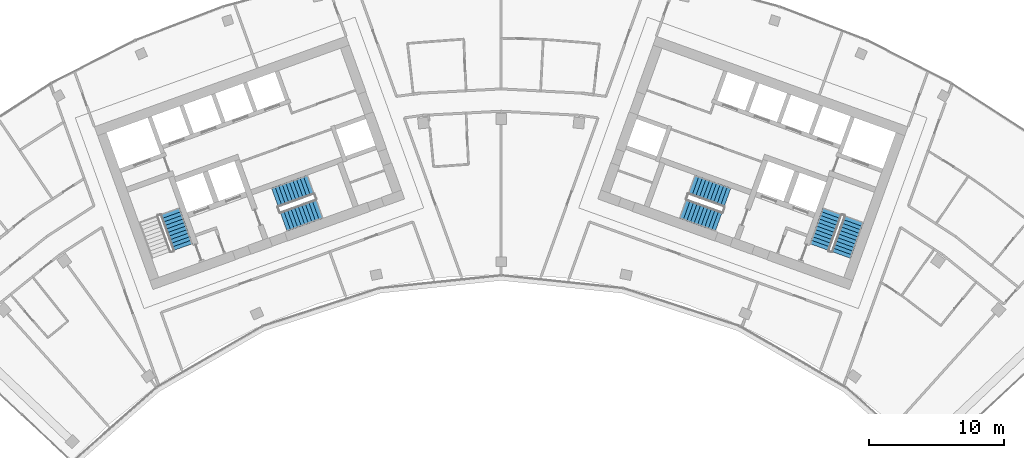
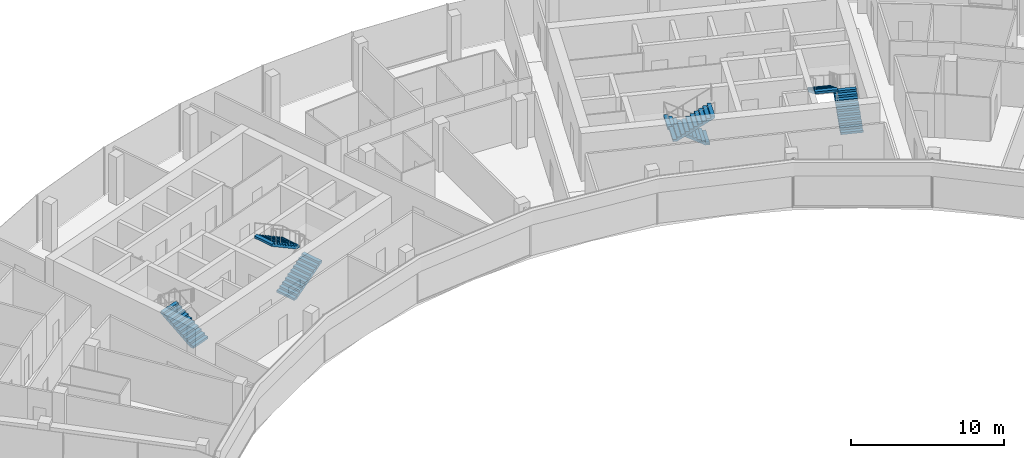
# One storey, part 17 of 18: 7 stair flights, 4 elements without a shape of their own.
"""IFC4 building model written with IfcOpenShell, lengths in metres."""

from ifc_helpers import new_model, si_unit, direction, frame, origin, place, context, subcontext, project, spatial, polyline, outline, extrude, material, type_object, element, aggregate, save


model = new_model("IFC4")

# Units and contexts
model_context = context("Model", 3, precision=1e-05, world=origin(), true_north=direction((0.0, 1.0)))
body_context = subcontext(model_context, "Body", "Model", "MODEL_VIEW")
ifc_project = project(units=[si_unit("LENGTHUNIT", "METRE"), si_unit("AREAUNIT", "SQUARE_METRE"), si_unit("VOLUMEUNIT", "CUBIC_METRE"), si_unit("PLANEANGLEUNIT", "RADIAN"), si_unit("MASSUNIT", "GRAM", prefix="KILO")], contexts=[model_context])

# Site, building, storey
site_placement = place(None, origin())
site = spatial("IfcSite", under=ifc_project, at=site_placement, CompositionType="ELEMENT")
building_placement = place(site_placement, origin())
building = spatial("IfcBuilding", under=site, at=building_placement, Name="Stone Belt Terrace Tower", CompositionType="ELEMENT")
storey_placement = place(building_placement, frame((0.0, 0.0, 284.60009765625)))
storey = spatial("IfcBuildingStorey", under=building, at=storey_placement, Name="L69", CompositionType="ELEMENT", Elevation=284.60009765625)

# Stair, stair flight
ifc_material = material(Name="Concrete B40", Category="concrete")
stair_type = type_object("IfcStairType", Name="Exit stair 1500", PredefinedType="HALF_TURN_STAIR", material=ifc_material)
stair_1_placement = place(storey_placement, origin())
stair_1 = element("IfcStair", 1, at=stair_1_placement, inside=storey, type_object=stair_type, Name="L69 Exit stair 1 core A", PredefinedType="HALF_TURN_STAIR")
stair_flight_type = type_object("IfcStairFlightType", Name="Stair flight 1500", PredefinedType="STRAIGHT", material=ifc_material)
stair_flight_1_placement = place(storey_placement, frame((-23.55322265625, 45.51318359375, 0.0), z_axis=(0.0, 0.0, 1.0), x_axis=(-0.338624396177, 0.940921632398, 0.0)))
stair_flight_1 = element("IfcStairFlight", 2, at=stair_flight_1_placement, type_object=stair_flight_type, Name="ST1A flight 1", NumberOfRisers=11, NumberOfTreads=10, PredefinedType="STRAIGHT", RiserHeight=0.172727273, TreadLength=0.28, context=body_context, shape_type="SweptSolid", body=[
    extrude(outline(polyline([(0.0, 0.0), (0.0, 0.172607421875), (0.280029296875, 0.172607421875), (0.280029296875, 0.345458984375), (0.56005859375, 0.345458984375), (0.56005859375, 0.51806640625), (0.840087890625, 0.51806640625), (0.840087890625, 0.69091796875), (1.1201171875, 0.69091796875), (1.1201171875, 0.863525390625), (1.39990234375, 0.863525390625), (1.39990234375, 1.036376953125), (1.679931640625, 1.036376953125), (1.679931640625, 1.208984375), (1.9599609375, 1.208984375), (1.9599609375, 1.3818359375), (2.239990234375, 1.3818359375), (2.239990234375, 1.554443359375), (2.52001953125, 1.554443359375), (2.52001953125, 1.727294921875), (2.800048828125, 1.727294921875), (2.800048828125, 1.89990234375), (2.800048828125, 1.551025390625), (0.285400390625, 0.0), (0.0, 0.0)])), frame((0.0, 0.75, 0.0), z_axis=(0.0, -1.0, 0.0), x_axis=(1.0, 0.0, 0.0)), (0.0, 0.0, 1.0), 1.5),
])
aggregate(stair_1, [stair_flight_1])

# Stair, stair flights
stair_2_placement = place(storey_placement, origin())
stair_2 = element("IfcStair", 3, at=stair_2_placement, inside=storey, type_object=stair_type, Name="L69 Exit stair 2 core A", PredefinedType="HALF_TURN_STAIR")
stair_flight_2_placement = place(storey_placement, frame((-16.101318359375, 47.39794921875, 0.0), z_axis=(0.0, 0.0, 1.0), x_axis=(0.940921632398, 0.338624396177, 0.0)))
stair_flight_2 = element("IfcStairFlight", 4, at=stair_flight_2_placement, type_object=stair_flight_type, Name="ST2A flight 1", NumberOfRisers=11, NumberOfTreads=10, PredefinedType="STRAIGHT", RiserHeight=0.172727273, TreadLength=0.28, context=body_context, shape_type="SweptSolid", body=[
    extrude(outline(polyline([(0.0, 0.0), (0.0, 0.172607421875), (0.280029296875, 0.172607421875), (0.280029296875, 0.345458984375), (0.56005859375, 0.345458984375), (0.56005859375, 0.51806640625), (0.840087890625, 0.51806640625), (0.840087890625, 0.69091796875), (1.1201171875, 0.69091796875), (1.1201171875, 0.863525390625), (1.39990234375, 0.863525390625), (1.39990234375, 1.036376953125), (1.679931640625, 1.036376953125), (1.679931640625, 1.208984375), (1.9599609375, 1.208984375), (1.9599609375, 1.3818359375), (2.239990234375, 1.3818359375), (2.239990234375, 1.554443359375), (2.52001953125, 1.554443359375), (2.52001953125, 1.727294921875), (2.800048828125, 1.727294921875), (2.800048828125, 1.89990234375), (2.800048828125, 1.551025390625), (0.285400390625, 0.0), (0.0, 0.0)])), frame((0.0, 0.75, 0.0), z_axis=(0.0, -1.0, 0.0), x_axis=(1.0, 0.0, 0.0)), (0.0, 0.0, 1.0), 1.5),
])
stair_flight_3_placement = place(storey_placement, frame((-14.110107421875, 50.1337890625, 1.89990234375), z_axis=(0.0, 0.0, 1.0), x_axis=(-0.940921632398, -0.338624396177, 0.0)))
stair_flight_3 = element("IfcStairFlight", 5, at=stair_flight_3_placement, type_object=stair_flight_type, Name="ST2A flight 2", NumberOfRisers=11, NumberOfTreads=10, PredefinedType="STRAIGHT", RiserHeight=0.172727273, TreadLength=0.28, context=body_context, shape_type="SweptSolid", body=[
    extrude(outline(polyline([(0.0, 0.0), (0.0, 0.172607421875), (0.280029296875, 0.172607421875), (0.280029296875, 0.345458984375), (0.56005859375, 0.345458984375), (0.56005859375, 0.51806640625), (0.840087890625, 0.51806640625), (0.840087890625, 0.69091796875), (1.1201171875, 0.69091796875), (1.1201171875, 0.863525390625), (1.39990234375, 0.863525390625), (1.39990234375, 1.036376953125), (1.679931640625, 1.036376953125), (1.679931640625, 1.208984375), (1.9599609375, 1.208984375), (1.9599609375, 1.3818359375), (2.239990234375, 1.3818359375), (2.239990234375, 1.554443359375), (2.52001953125, 1.554443359375), (2.52001953125, 1.727294921875), (2.800048828125, 1.727294921875), (2.800048828125, 1.89990234375), (2.800048828125, 1.551025390625), (0.285400390625, 0.0), (0.0, 0.0)])), frame((0.0, 0.75, 0.0), z_axis=(0.0, -1.0, 0.0), x_axis=(1.0, 0.0, 0.0)), (0.0, 0.0, 1.0), 1.5),
])
aggregate(stair_2, [stair_flight_2, stair_flight_3])

stair_3_placement = place(storey_placement, origin())
stair_3 = element("IfcStair", 6, at=stair_3_placement, inside=storey, type_object=stair_type, Name="L69 Exit stair 1 core B", PredefinedType="HALF_TURN_STAIR")
stair_flight_4_placement = place(storey_placement, frame((25.15283203125, 44.9375, 0.0), z_axis=(0.0, 0.0, 1.0), x_axis=(0.338624396177, 0.940921632398, 0.0)))
stair_flight_4 = element("IfcStairFlight", 7, at=stair_flight_4_placement, type_object=stair_flight_type, Name="ST1B flight 1", NumberOfRisers=11, NumberOfTreads=10, PredefinedType="STRAIGHT", RiserHeight=0.172727273, TreadLength=0.28, context=body_context, shape_type="SweptSolid", body=[
    extrude(outline(polyline([(0.0, 0.0), (0.0, 0.172607421875), (0.280029296875, 0.172607421875), (0.280029296875, 0.345458984375), (0.56005859375, 0.345458984375), (0.56005859375, 0.51806640625), (0.840087890625, 0.51806640625), (0.840087890625, 0.69091796875), (1.1201171875, 0.69091796875), (1.1201171875, 0.863525390625), (1.39990234375, 0.863525390625), (1.39990234375, 1.036376953125), (1.679931640625, 1.036376953125), (1.679931640625, 1.208984375), (1.9599609375, 1.208984375), (1.9599609375, 1.3818359375), (2.239990234375, 1.3818359375), (2.239990234375, 1.554443359375), (2.52001953125, 1.554443359375), (2.52001953125, 1.727294921875), (2.800048828125, 1.727294921875), (2.800048828125, 1.89990234375), (2.800048828125, 1.551025390625), (0.285400390625, 0.0), (0.0, 0.0)])), frame((0.0, 0.75, 0.0), z_axis=(0.0, -1.0, 0.0), x_axis=(1.0, 0.0, 0.0)), (0.0, 0.0, 1.0), 1.5),
])
stair_flight_5_placement = place(storey_placement, frame((24.50146484375, 48.147705078125, 1.89990234375), z_axis=(0.0, 0.0, 1.0), x_axis=(-0.338624396177, -0.940921632398, 0.0)))
stair_flight_5 = element("IfcStairFlight", 8, at=stair_flight_5_placement, type_object=stair_flight_type, Name="ST1B flight 2", NumberOfRisers=11, NumberOfTreads=10, PredefinedType="STRAIGHT", RiserHeight=0.172727273, TreadLength=0.28, context=body_context, shape_type="SweptSolid", body=[
    extrude(outline(polyline([(0.0, 0.0), (0.0, 0.172607421875), (0.280029296875, 0.172607421875), (0.280029296875, 0.345458984375), (0.56005859375, 0.345458984375), (0.56005859375, 0.51806640625), (0.840087890625, 0.51806640625), (0.840087890625, 0.69091796875), (1.1201171875, 0.69091796875), (1.1201171875, 0.863525390625), (1.39990234375, 0.863525390625), (1.39990234375, 1.036376953125), (1.679931640625, 1.036376953125), (1.679931640625, 1.208984375), (1.9599609375, 1.208984375), (1.9599609375, 1.3818359375), (2.239990234375, 1.3818359375), (2.239990234375, 1.554443359375), (2.52001953125, 1.554443359375), (2.52001953125, 1.727294921875), (2.800048828125, 1.727294921875), (2.800048828125, 1.89990234375), (2.800048828125, 1.551025390625), (0.285400390625, 0.0), (0.0, 0.0)])), frame((0.0, 0.75, 0.0), z_axis=(0.0, -1.0, 0.0), x_axis=(1.0, 0.0, 0.0)), (0.0, 0.0, 1.0), 1.5),
])
aggregate(stair_3, [stair_flight_4, stair_flight_5])

stair_4_placement = place(storey_placement, origin())
stair_4 = element("IfcStair", 9, at=stair_4_placement, inside=storey, type_object=stair_type, Name="L69 Exit stair 2 core B", PredefinedType="HALF_TURN_STAIR")
stair_flight_6_placement = place(storey_placement, frame((16.74462890625, 49.185546875, 0.0), z_axis=(0.0, 0.0, 1.0), x_axis=(-0.940921632398, 0.338624396177, 0.0)))
stair_flight_6 = element("IfcStairFlight", 10, at=stair_flight_6_placement, type_object=stair_flight_type, Name="ST2B flight 1", NumberOfRisers=11, NumberOfTreads=10, PredefinedType="STRAIGHT", RiserHeight=0.172727273, TreadLength=0.28, context=body_context, shape_type="SweptSolid", body=[
    extrude(outline(polyline([(0.0, 0.0), (0.0, 0.172607421875), (0.280029296875, 0.172607421875), (0.280029296875, 0.345458984375), (0.56005859375, 0.345458984375), (0.56005859375, 0.51806640625), (0.840087890625, 0.51806640625), (0.840087890625, 0.69091796875), (1.1201171875, 0.69091796875), (1.1201171875, 0.863525390625), (1.39990234375, 0.863525390625), (1.39990234375, 1.036376953125), (1.679931640625, 1.036376953125), (1.679931640625, 1.208984375), (1.9599609375, 1.208984375), (1.9599609375, 1.3818359375), (2.239990234375, 1.3818359375), (2.239990234375, 1.554443359375), (2.52001953125, 1.554443359375), (2.52001953125, 1.727294921875), (2.800048828125, 1.727294921875), (2.800048828125, 1.89990234375), (2.800048828125, 1.551025390625), (0.285400390625, 0.0), (0.0, 0.0)])), frame((0.0, 0.75, 0.0), z_axis=(0.0, -1.0, 0.0), x_axis=(1.0, 0.0, 0.0)), (0.0, 0.0, 1.0), 1.5),
])
stair_flight_7_placement = place(storey_placement, frame((13.466796875, 48.345947265625, 1.89990234375), z_axis=(0.0, 0.0, 1.0), x_axis=(0.940921632398, -0.338624396177, 0.0)))
stair_flight_7 = element("IfcStairFlight", 11, at=stair_flight_7_placement, type_object=stair_flight_type, Name="ST2B flight 2", NumberOfRisers=11, NumberOfTreads=10, PredefinedType="STRAIGHT", RiserHeight=0.172727273, TreadLength=0.28, context=body_context, shape_type="SweptSolid", body=[
    extrude(outline(polyline([(0.0, 0.0), (0.0, 0.172607421875), (0.280029296875, 0.172607421875), (0.280029296875, 0.345458984375), (0.56005859375, 0.345458984375), (0.56005859375, 0.51806640625), (0.840087890625, 0.51806640625), (0.840087890625, 0.69091796875), (1.1201171875, 0.69091796875), (1.1201171875, 0.863525390625), (1.39990234375, 0.863525390625), (1.39990234375, 1.036376953125), (1.679931640625, 1.036376953125), (1.679931640625, 1.208984375), (1.9599609375, 1.208984375), (1.9599609375, 1.3818359375), (2.239990234375, 1.3818359375), (2.239990234375, 1.554443359375), (2.52001953125, 1.554443359375), (2.52001953125, 1.727294921875), (2.800048828125, 1.727294921875), (2.800048828125, 1.89990234375), (2.800048828125, 1.551025390625), (0.285400390625, 0.0), (0.0, 0.0)])), frame((0.0, 0.75, 0.0), z_axis=(0.0, -1.0, 0.0), x_axis=(1.0, 0.0, 0.0)), (0.0, 0.0, 1.0), 1.5),
])
aggregate(stair_4, [stair_flight_6, stair_flight_7])

save(model, "model.ifc")
